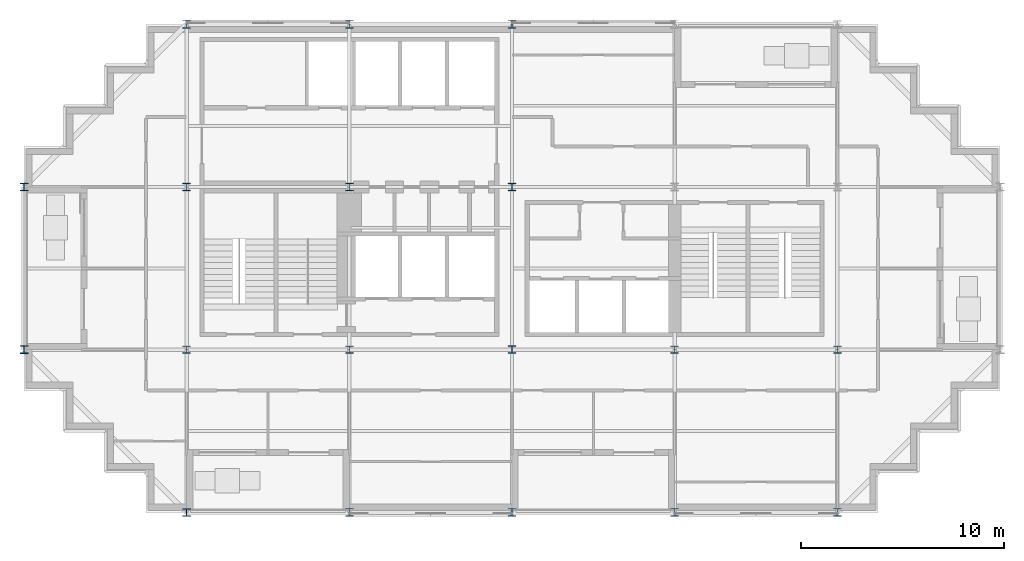
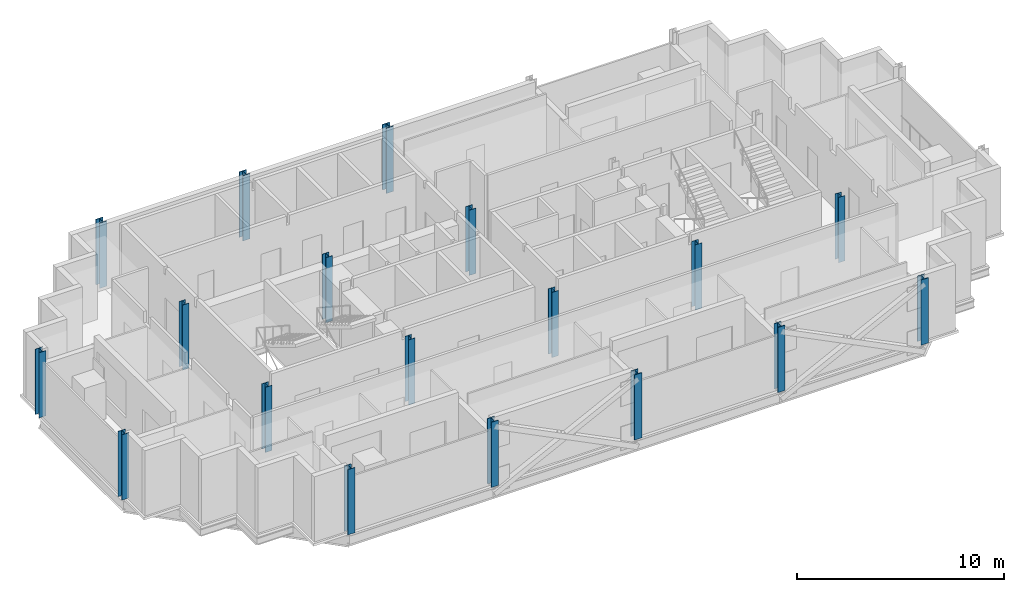
# One storey, part 1 of 10: 18 columns.
"""IFC4 building model written with IfcOpenShell, lengths in metres."""

from ifc_helpers import new_model, si_unit, direction, frame, origin, origin_2d, place, context, subcontext, project, spatial, i_section, extrude, material, material_profile, profile_set, type_object, element, save


model = new_model("IFC4")

# Units and contexts
model_context = context("Model", 3, precision=1e-05, world=origin(), true_north=direction((0.0, 1.0)))
body_context = subcontext(model_context, "Body", "Model", "MODEL_VIEW")
ifc_project = project(units=[si_unit("LENGTHUNIT", "METRE"), si_unit("AREAUNIT", "SQUARE_METRE"), si_unit("VOLUMEUNIT", "CUBIC_METRE"), si_unit("PLANEANGLEUNIT", "RADIAN"), si_unit("MASSUNIT", "GRAM", prefix="KILO")], contexts=[model_context])

# Site, building, storey
site_placement = place(None, origin())
site = spatial("IfcSite", under=ifc_project, at=site_placement, CompositionType="ELEMENT")
building_placement = place(site_placement, origin())
building = spatial("IfcBuilding", under=site, at=building_placement, Name="Immortelle Media Tower", CompositionType="ELEMENT")
storey_placement = place(building_placement, frame((0.0, 0.0, 251.0)))
storey = spatial("IfcBuildingStorey", under=building, at=storey_placement, Name="L54", CompositionType="ELEMENT", Elevation=251.0)

# Columns
ifc_material = material(Name="Steel ASTM A992 Gr 50", Category="steel")
ifc_material_profile_1 = material_profile(ifc_material, i_section(OverallWidth=0.373046875, OverallDepth=0.367919921875, WebThickness=0.014892578125, FlangeThickness=0.02392578125, at=origin_2d()), Name="W14x120")
ifc_profile_set_1 = profile_set([ifc_material_profile_1], Name="Steel ASTM A992 Gr 50")
column_type_1 = type_object("IfcColumnType", Name="W14x120 column", PredefinedType="COLUMN", material=ifc_profile_set_1)
for number, where, z_axis, x_axis, name in (
    (1, (24.0, 8.0, 0.0), (0.0, 0.0, 1.0), (1.0, 0.0, 0.0), "Column 4/B"),
    (2, (24.0, 16.0, 0.0), (0.0, 0.0, 1.0), (1.0, 0.0, 0.0), "Column 4/C"),
):
    element("IfcColumn", number, at=place(storey_placement, frame(where, z_axis=z_axis, x_axis=x_axis)), inside=storey, type_object=column_type_1, Name=name, PredefinedType="COLUMN", context=body_context, shape_type="SweptSolid", body=[
        extrude(i_section(OverallWidth=0.373046875, OverallDepth=0.367919921875, WebThickness=0.014892578125, FlangeThickness=0.02392578125, at=origin_2d()), origin(), (0.0, 0.0, 1.0), 3.85009765625),
    ])
ifc_material_profile_2 = material_profile(ifc_material, i_section(OverallWidth=0.39404296875, OverallDepth=0.3759765625, WebThickness=0.01708984375, FlangeThickness=0.028076171875, at=origin_2d()), Name="W14x145")
ifc_profile_set_2 = profile_set([ifc_material_profile_2], Name="Steel ASTM A992 Gr 50")
column_type_2 = type_object("IfcColumnType", Name="W14x145 column", PredefinedType="COLUMN", material=ifc_profile_set_2)
for number, where, z_axis, x_axis, name in (
    (3, (0.0, 8.0, 0.0), (0.0, 0.0, 1.0), (1.0, 0.0, 0.0), "Column 1/B"),
    (4, (0.0, 16.0, 0.0), (0.0, 0.0, 1.0), (1.0, 0.0, 0.0), "Column 1/C"),
    (5, (8.0, 0.0, 0.0), (0.0, 0.0, 1.0), (1.0, 0.0, 0.0), "Column 2/A"),
):
    element("IfcColumn", number, at=place(storey_placement, frame(where, z_axis=z_axis, x_axis=x_axis)), inside=storey, type_object=column_type_2, Name=name, PredefinedType="COLUMN", context=body_context, shape_type="SweptSolid", body=[
        extrude(i_section(OverallWidth=0.39404296875, OverallDepth=0.3759765625, WebThickness=0.01708984375, FlangeThickness=0.028076171875, at=origin_2d()), origin(), (0.0, 0.0, 1.0), 3.85009765625),
    ])
ifc_material_profile_3 = material_profile(ifc_material, i_section(OverallWidth=0.40087890625, OverallDepth=0.39892578125, WebThickness=0.02490234375, FlangeThickness=0.0400390625, at=origin_2d()), Name="W14x211")
ifc_profile_set_3 = profile_set([ifc_material_profile_3], Name="Steel ASTM A992 Gr 50")
column_type_3 = type_object("IfcColumnType", Name="W14x211 column", PredefinedType="COLUMN", material=ifc_profile_set_3)
for number, where, z_axis, x_axis, name in (
    (6, (8.0, 24.0, 0.0), (0.0, 0.0, 1.0), (1.0, 0.0, 0.0), "Column 2/D"),
    (7, (16.0, 0.0, 0.0), (0.0, 0.0, 1.0), (1.0, 0.0, 0.0), "Column 3/A"),
    (8, (16.0, 24.0, 0.0), (0.0, 0.0, 1.0), (1.0, 0.0, 0.0), "Column 3/D"),
    (9, (24.0, 0.0, 0.0), (0.0, 0.0, 1.0), (1.0, 0.0, 0.0), "Column 4/A"),
    (10, (24.0, 24.0, 0.0), (0.0, 0.0, 1.0), (1.0, 0.0, 0.0), "Column 4/D"),
    (11, (32.0, 0.0, 0.0), (0.0, 0.0, 1.0), (1.0, 0.0, 0.0), "Column 5/A"),
    (12, (40.0, 0.0, 0.0), (0.0, 0.0, 1.0), (1.0, 0.0, 0.0), "Column 6/A"),
):
    element("IfcColumn", number, at=place(storey_placement, frame(where, z_axis=z_axis, x_axis=x_axis)), inside=storey, type_object=column_type_3, Name=name, PredefinedType="COLUMN", context=body_context, shape_type="SweptSolid", body=[
        extrude(i_section(OverallWidth=0.40087890625, OverallDepth=0.39892578125, WebThickness=0.02490234375, FlangeThickness=0.0400390625, at=origin_2d()), origin(), (0.0, 0.0, 1.0), 3.85009765625),
    ])
ifc_material_profile_4 = material_profile(ifc_material, i_section(OverallWidth=0.37109375, OverallDepth=0.361083984375, WebThickness=0.011962890625, FlangeThickness=0.02001953125, at=origin_2d()), Name="W14x99")
ifc_profile_set_4 = profile_set([ifc_material_profile_4], Name="Steel ASTM A992 Gr 50")
column_type_4 = type_object("IfcColumnType", Name="W14x99 column", PredefinedType="COLUMN", material=ifc_profile_set_4)
for number, where, z_axis, x_axis, name in (
    (13, (8.0, 8.0, 0.0), (0.0, 0.0, 1.0), (1.0, 0.0, 0.0), "Column 2/B"),
    (14, (8.0, 16.0, 0.0), (0.0, 0.0, 1.0), (1.0, 0.0, 0.0), "Column 2/C"),
    (15, (16.0, 8.0, 0.0), (0.0, 0.0, 1.0), (1.0, 0.0, 0.0), "Column 3/B"),
    (16, (16.0, 16.0, 0.0), (0.0, 0.0, 1.0), (1.0, 0.0, 0.0), "Column 3/C"),
    (17, (32.0, 8.0, 0.0), (0.0, 0.0, 1.0), (1.0, 0.0, 0.0), "Column 5/B"),
    (18, (40.0, 8.0, 0.0), (0.0, 0.0, 1.0), (1.0, 0.0, 0.0), "Column 6/B"),
):
    element("IfcColumn", number, at=place(storey_placement, frame(where, z_axis=z_axis, x_axis=x_axis)), inside=storey, type_object=column_type_4, Name=name, PredefinedType="COLUMN", context=body_context, shape_type="SweptSolid", body=[
        extrude(i_section(OverallWidth=0.37109375, OverallDepth=0.361083984375, WebThickness=0.011962890625, FlangeThickness=0.02001953125, at=origin_2d()), origin(), (0.0, 0.0, 1.0), 3.85009765625),
    ])

save(model, "model.ifc")
